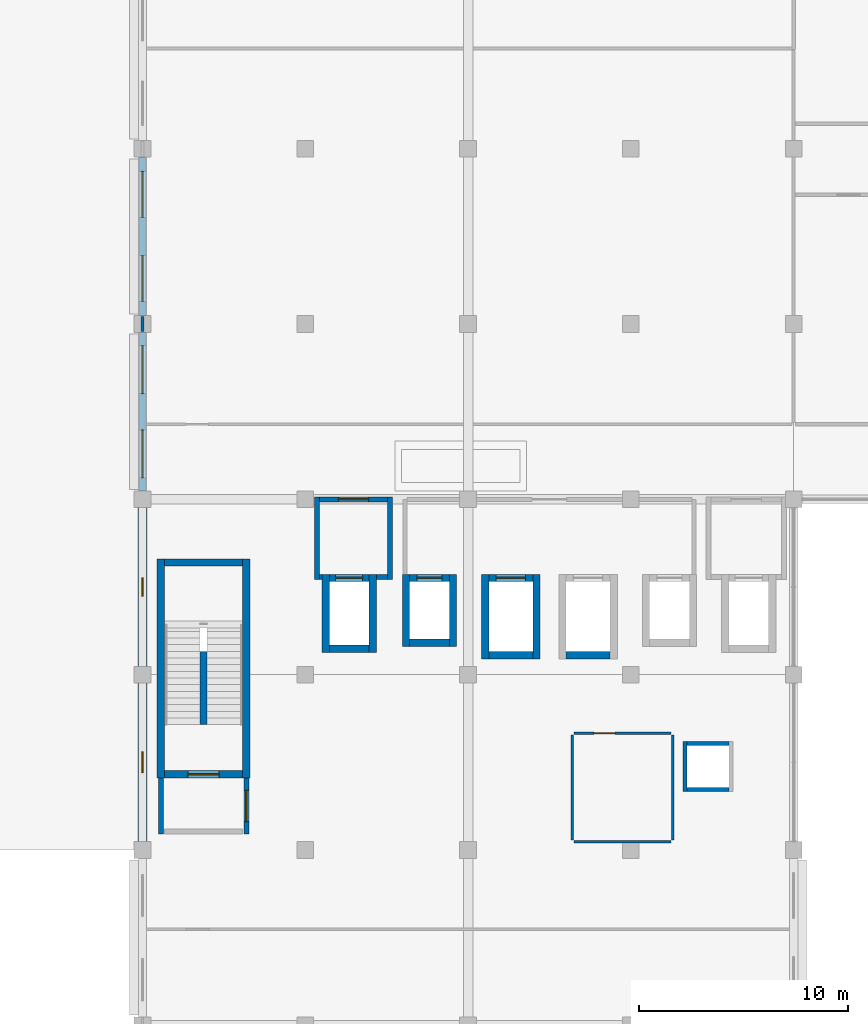
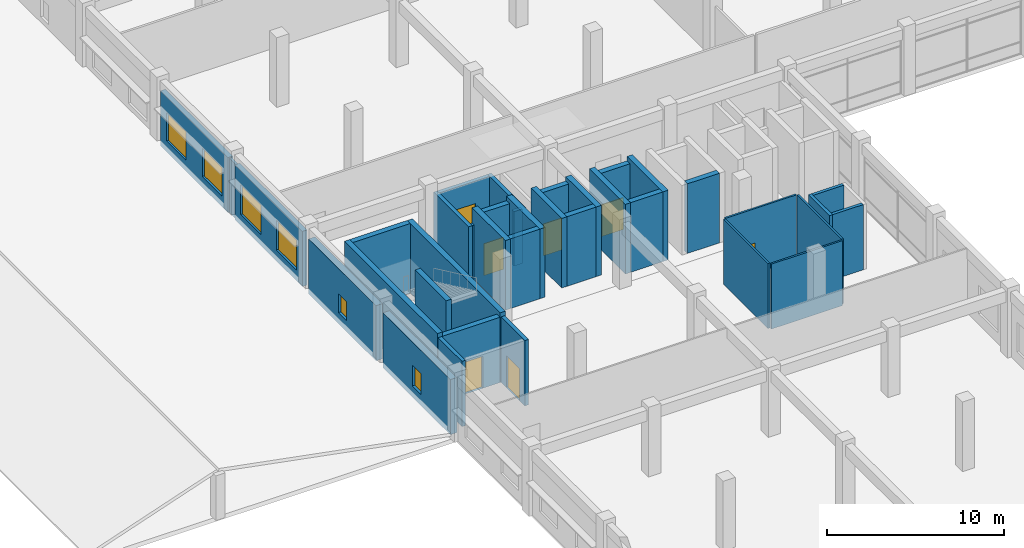
# One storey, part 40 of 62: 37 walls, 7 doors, 6 windows, 13 openings.
"""IFC4 building model written with IfcOpenShell, lengths in metres."""

from ifc_helpers import new_model, si_unit, direction, frame, frame_2d, origin, place, context, subcontext, project, spatial, rectangle, extrude, material, layer, layer_set, type_object, element, fill, save


model = new_model("IFC4")

# Units and contexts
model_context = context("Model", 3, precision=1e-05, world=origin(), true_north=direction((0.0, 1.0)))
body_context = subcontext(model_context, "Body", "Model", "MODEL_VIEW")
ifc_project = project(units=[si_unit("LENGTHUNIT", "METRE"), si_unit("AREAUNIT", "SQUARE_METRE"), si_unit("VOLUMEUNIT", "CUBIC_METRE"), si_unit("PLANEANGLEUNIT", "RADIAN"), si_unit("MASSUNIT", "GRAM", prefix="KILO"), si_unit("THERMODYNAMICTEMPERATUREUNIT", "KELVIN"), si_unit("POWERUNIT", "WATT")], contexts=[model_context])

# Site, building, storey
site_placement = place(None, origin())
site = spatial("IfcSite", under=ifc_project, at=site_placement, CompositionType="ELEMENT")
building_placement = place(site_placement, origin())
building = spatial("IfcBuilding", under=site, at=building_placement, Name="Srebrne Nadtorze General Hospital", CompositionType="ELEMENT")
storey_placement = place(building_placement, frame((0.0, 0.0, 9.60009765625)))
storey = spatial("IfcBuildingStorey", under=building, at=storey_placement, Name="L02", CompositionType="ELEMENT", Elevation=9.60009765625)

# Wall, opening, window
ifc_material_1 = material(Name="Concrete C40/50", Category="concrete")
ifc_layer_1 = layer(ifc_material_1, 0.419921875)
ifc_layer_set_1 = layer_set([ifc_layer_1], Name="Concrete C40/50")
wall_type_1 = type_object("IfcWallType", Name="Acoustic buffer wall 420", PredefinedType="SOLIDWALL", material=ifc_layer_set_1)
wall_1_placement = place(storey_placement, frame((23.39990234375, 34.0, 0.0), z_axis=(0.0, 0.0, 1.0), x_axis=(0.0, 1.0, 0.0)))
wall_1 = element("IfcWall", 1, at=wall_1_placement, inside=storey, type_object=wall_type_1, Name="Exterior wall WL-ENV-L02-0246", PredefinedType="SOLIDWALL", context=body_context, shape_type="SweptSolid", body=[
    extrude(rectangle(XDim=7.60009765625, YDim=0.419921875, at=frame_2d((3.800048828125, 0.0))), origin(), (0.0, 0.0, 1.0), 3.7998046875),
])
opening_1_placement = place(wall_1_placement, frame((3.300048828125, 0.0, 0.75)))
opening_1 = element("IfcOpeningElement", 2, at=opening_1_placement, cuts=wall_1, Name="Opening WN-L02-0310", PredefinedType="OPENING", context=body_context, shape_type="SweptSolid", body=[
    extrude(rectangle(XDim=1.0, YDim=1.449951171875, at=frame_2d((0.5, 0.72509765625))), frame((0.0, 0.221923828125, 0.0), z_axis=(0.0, -1.0, 0.0), x_axis=(1.0, 0.0, 0.0)), (0.0, 0.0, 1.0), 0.44384765625),
])
ifc_material_2 = material(Name="Triple Low-E Glazing", Category="glass")
window_type_1 = type_object("IfcWindowType", Name="Punched clinical window 1000x1450", PartitioningType="SINGLE_PANEL", PredefinedType="WINDOW", material=ifc_material_2)
window_1_placement = place(opening_1_placement, origin())
window_1 = element("IfcWindow", 3, at=window_1_placement, inside=storey, type_object=window_type_1, Name="Clinical window WN-L02-0310", OverallHeight=1.449951171875, OverallWidth=1.0, PartitioningType="SINGLE_PANEL", PredefinedType="WINDOW", context=body_context, shape_type="SweptSolid", body=[
    extrude(rectangle(XDim=1.0, YDim=1.449951171875, at=frame_2d((0.5, 0.72509765625))), frame((0.0, 0.030029296875, 0.0), z_axis=(0.0, -1.0, 0.0), x_axis=(1.0, 0.0, 0.0)), (0.0, 0.0, 1.0), 0.06005859375),
])
fill(opening_1, window_1)

wall_2_placement = place(storey_placement, frame((23.39990234375, 42.39990234375, 0.0), z_axis=(0.0, 0.0, 1.0), x_axis=(0.0, 1.0, 0.0)))
wall_2 = element("IfcWall", 4, at=wall_2_placement, inside=storey, type_object=wall_type_1, Name="Exterior wall WL-ENV-L02-0247", PredefinedType="SOLIDWALL", context=body_context, shape_type="SweptSolid", body=[
    extrude(rectangle(XDim=7.60009765625, YDim=0.419921875, at=frame_2d((3.800048828125, 0.0))), origin(), (0.0, 0.0, 1.0), 3.7998046875),
])
opening_2_placement = place(wall_2_placement, frame((3.35009765625, 0.0, 0.75)))
opening_2 = element("IfcOpeningElement", 5, at=opening_2_placement, cuts=wall_2, Name="Opening WN-L02-0311", PredefinedType="OPENING", context=body_context, shape_type="SweptSolid", body=[
    extrude(rectangle(XDim=0.89990234375, YDim=1.300048828125, at=frame_2d((0.449951171875, 0.64990234375))), frame((0.0, 0.221923828125, 0.0), z_axis=(0.0, -1.0, 0.0), x_axis=(1.0, 0.0, 0.0)), (0.0, 0.0, 1.0), 0.44384765625),
])
ifc_material_3 = material(Name="Triple Low-E Glazing", Category="glass")
window_type_2 = type_object("IfcWindowType", Name="Punched clinical window 900x1300", PartitioningType="SINGLE_PANEL", PredefinedType="WINDOW", material=ifc_material_3)
window_2_placement = place(opening_2_placement, origin())
window_2 = element("IfcWindow", 6, at=window_2_placement, inside=storey, type_object=window_type_2, Name="Clinical window WN-L02-0311", OverallHeight=1.300048828125, OverallWidth=0.89990234375, PartitioningType="SINGLE_PANEL", PredefinedType="WINDOW", context=body_context, shape_type="SweptSolid", body=[
    extrude(rectangle(XDim=0.89990234375, YDim=1.300048828125, at=frame_2d((0.449951171875, 0.64990234375))), frame((0.0, 0.030029296875, 0.0), z_axis=(0.0, -1.0, 0.0), x_axis=(1.0, 0.0, 0.0)), (0.0, 0.0, 1.0), 0.06005859375),
])
fill(opening_2, window_2)

# Walls
ifc_material_4 = material(Name="Gypsum Healthcare Partition")
ifc_layer_2 = layer(ifc_material_4, 0.139892578125)
ifc_layer_set_2 = layer_set([ifc_layer_2], Name="Gypsum Healthcare Partition")
wall_type_2 = type_object("IfcWallType", Name="Clinical partition 140", PredefinedType="PARTITIONING", material=ifc_layer_set_2)
wall_3_placement = place(storey_placement, frame((23.39990234375, 58.43994140625, 0.0), z_axis=(0.0, 0.0, 1.0), x_axis=(0.0, 1.0, 0.0)))
element("IfcWall", 7, at=wall_3_placement, inside=storey, type_object=wall_type_2, Name="Neuro-Intensive Care Unit wall WL-INT-L02-1511", PredefinedType="PARTITIONING", context=body_context, shape_type="SweptSolid", body=[
    extrude(rectangle(XDim=0.719970703125, YDim=0.139892578125, at=frame_2d((0.35986328125, 0.0))), origin(), (0.0, 0.0, 1.0), 3.75),
])
ifc_material_5 = material(Name="Gypsum Healthcare Partition")
ifc_layer_3 = layer(ifc_material_5, 0.199951171875)
ifc_layer_set_3 = layer_set([ifc_layer_3], Name="Gypsum Healthcare Partition")
wall_type_3 = type_object("IfcWallType", Name="Compartment wall 200", PredefinedType="STANDARD", material=ifc_layer_set_3)
wall_4_placement = place(storey_placement, frame((49.39990234375, 36.39990234375, 0.0), z_axis=(0.0, 0.0, 1.0), x_axis=(0.0, 1.0, 0.0)))
element("IfcWall", 8, at=wall_4_placement, inside=storey, type_object=wall_type_3, Name="MEP riser wall WL-INT-L02-1002", PredefinedType="STANDARD", context=body_context, shape_type="SweptSolid", body=[
    extrude(rectangle(XDim=2.400146484375, YDim=0.199951171875, at=frame_2d((1.2001953125, 0.0))), origin(), (0.0, 0.0, 1.0), 4.5),
])
for number, where, z_axis, x_axis, name in (
    (9, (49.5, 36.5, 0.0), (0.0, 0.0, 1.0), (1.0, 0.0, 0.0), "MEP riser wall WL-INT-L02-1004"),
    (10, (49.5, 38.699951171875, 0.0), (0.0, 0.0, 1.0), (1.0, 0.0, 0.0), "MEP riser wall WL-INT-L02-1005"),
):
    element("IfcWall", number, at=place(storey_placement, frame(where, z_axis=z_axis, x_axis=x_axis)), inside=storey, type_object=wall_type_3, Name=name, PredefinedType="STANDARD", context=body_context, shape_type="SweptSolid", body=[
        extrude(rectangle(XDim=2.0, YDim=0.199951171875, at=frame_2d((1.0, 0.0))), origin(), (0.0, 0.0, 1.0), 4.5),
    ])
ifc_material_6 = material(Name="Gypsum Healthcare Partition")
ifc_layer_4 = layer(ifc_material_6, 0.239990234375)
ifc_layer_set_4 = layer_set([ifc_layer_4], Name="Gypsum Healthcare Partition")
wall_type_4 = type_object("IfcWallType", Name="Corridor fire wall 240", PredefinedType="STANDARD", material=ifc_layer_set_4)
wall_5_placement = place(storey_placement, frame((24.27490234375, 34.35498046875, 0.0), z_axis=(0.0, 0.0, 1.0), x_axis=(0.0, 1.0, 0.0)))
element("IfcWall", 11, at=wall_5_placement, inside=storey, type_object=wall_type_4, Name="Fire lobby wall ST-01 WL-INT-L02-0197", PredefinedType="STANDARD", context=body_context, shape_type="SweptSolid", body=[
    extrude(rectangle(XDim=2.695068359375, YDim=0.239990234375, at=frame_2d((1.34765625, 0.0))), origin(), (0.0, 0.0, 1.0), 4.5),
])

# Wall, opening, door
wall_6_placement = place(storey_placement, frame((28.375, 34.35498046875, 0.0), z_axis=(0.0, 0.0, 1.0), x_axis=(0.0, 1.0, 0.0)))
wall_6 = element("IfcWall", 12, at=wall_6_placement, inside=storey, type_object=wall_type_4, Name="Fire lobby wall ST-01 WL-INT-L02-0198", PredefinedType="STANDARD", context=body_context, shape_type="SweptSolid", body=[
    extrude(rectangle(XDim=2.695068359375, YDim=0.239990234375, at=frame_2d((1.34765625, 0.0))), origin(), (0.0, 0.0, 1.0), 4.5),
])
opening_3_placement = place(wall_6_placement, frame((0.597412109375, 0.0, 0.0)))
opening_3 = element("IfcOpeningElement", 13, at=opening_3_placement, cuts=wall_6, Name="Opening D-L02-0050", PredefinedType="OPENING", context=body_context, shape_type="SweptSolid", body=[
    extrude(rectangle(XDim=1.5, YDim=2.199951171875, at=frame_2d((0.75, 1.10009765625))), frame((0.0, 0.1318359375, 0.0), z_axis=(0.0, -1.0, 0.0), x_axis=(1.0, 0.0, 0.0)), (0.0, 0.0, 1.0), 0.263916015625),
])
ifc_material_7 = material(Name="Anodised Aluminium", Category="aluminium")
door_type_1 = type_object("IfcDoorType", Name="Double leaf door 1500x2200", OperationType="DOUBLE_DOOR_SINGLE_SWING", PredefinedType="DOOR", material=ifc_material_7)
door_1_placement = place(opening_3_placement, origin())
door_1 = element("IfcDoor", 14, at=door_1_placement, inside=storey, type_object=door_type_1, Name="Fire lobby door ST-01 D-L02-0050", OperationType="DOUBLE_DOOR_SINGLE_SWING", OverallHeight=2.199951171875, OverallWidth=1.5, PredefinedType="DOOR", context=body_context, shape_type="SweptSolid", body=[
    extrude(rectangle(XDim=1.5, YDim=2.199951171875, at=frame_2d((0.75, 1.10009765625))), frame((0.0, 0.02490234375, 0.0), z_axis=(0.0, -1.0, 0.0), x_axis=(1.0, 0.0, 0.0)), (0.0, 0.0, 1.0), 0.050048828125),
])
fill(opening_3, door_1)

# Walls
for number, where, z_axis, x_axis, name in (
    (15, (31.760009765625, 46.570068359375, 0.0), (0.0, 0.0, 1.0), (0.0, 1.0, 0.0), "FF lift lobby wall WL-INT-L02-0981"),
    (16, (35.27001953125, 46.570068359375, 0.0), (0.0, 0.0, 1.0), (0.0, 1.0, 0.0), "FF lift lobby wall WL-INT-L02-0982"),
):
    element("IfcWall", number, at=place(storey_placement, frame(where, z_axis=z_axis, x_axis=x_axis)), inside=storey, type_object=wall_type_4, Name=name, PredefinedType="STANDARD", context=body_context, shape_type="SweptSolid", body=[
        extrude(rectangle(XDim=3.949951171875, YDim=0.239990234375, at=frame_2d((1.97509765625, 0.0))), origin(), (0.0, 0.0, 1.0), 3.75),
    ])
wall_7_placement = place(storey_placement, frame((31.8798828125, 46.68994140625, 0.0), z_axis=(0.0, 0.0, 1.0), x_axis=(1.0, 0.0, 0.0)))
element("IfcWall", 17, at=wall_7_placement, inside=storey, type_object=wall_type_4, Name="FF lift lobby return wall WL-INT-L02-0983", PredefinedType="STANDARD", context=body_context, shape_type="SweptSolid", body=[
    extrude(rectangle(XDim=0.1201171875, YDim=0.239990234375, at=frame_2d((0.06005859375, 0.0))), origin(), (0.0, 0.0, 1.0), 3.75),
])
wall_8_placement = place(storey_placement, frame((34.60009765625, 46.68994140625, 0.0), z_axis=(0.0, 0.0, 1.0), x_axis=(1.0, 0.0, 0.0)))
element("IfcWall", 18, at=wall_8_placement, inside=storey, type_object=wall_type_4, Name="FF lift lobby return wall WL-INT-L02-0984", PredefinedType="STANDARD", context=body_context, shape_type="SweptSolid", body=[
    extrude(rectangle(XDim=0.5498046875, YDim=0.239990234375, at=frame_2d((0.27490234375, 0.0))), origin(), (0.0, 0.0, 1.0), 3.75),
])

# Wall, opening, door
wall_9_placement = place(storey_placement, frame((31.8798828125, 50.39990234375, 0.0), z_axis=(0.0, 0.0, 1.0), x_axis=(1.0, 0.0, 0.0)))
wall_9 = element("IfcWall", 19, at=wall_9_placement, inside=storey, type_object=wall_type_4, Name="FF lift lobby front wall WL-INT-L02-0985", PredefinedType="STANDARD", context=body_context, shape_type="SweptSolid", body=[
    extrude(rectangle(XDim=3.27001953125, YDim=0.239990234375, at=frame_2d((1.635009765625, 0.0))), origin(), (0.0, 0.0, 1.0), 3.75),
])
opening_4_placement = place(wall_9_placement, frame((0.909912109375, 0.0, 0.0)))
opening_4 = element("IfcOpeningElement", 20, at=opening_4_placement, cuts=wall_9, Name="Opening D-L02-0132", PredefinedType="OPENING", context=body_context, shape_type="SweptSolid", body=[
    extrude(rectangle(XDim=1.449951171875, YDim=2.199951171875, at=frame_2d((0.72509765625, 1.10009765625))), frame((0.0, 0.1318359375, 0.0), z_axis=(0.0, -1.0, 0.0), x_axis=(1.0, 0.0, 0.0)), (0.0, 0.0, 1.0), 0.263916015625),
])
ifc_material_8 = material(Name="Anodised Aluminium", Category="aluminium")
door_type_2 = type_object("IfcDoorType", Name="Double leaf door 1450x2200", OperationType="DOUBLE_DOOR_SINGLE_SWING", PredefinedType="DOOR", material=ifc_material_8)
door_2_placement = place(opening_4_placement, origin())
door_2 = element("IfcDoor", 21, at=door_2_placement, inside=storey, type_object=door_type_2, Name="Firefighting lift lobby door D-L02-0132", OperationType="DOUBLE_DOOR_SINGLE_SWING", OverallHeight=2.199951171875, OverallWidth=1.449951171875, PredefinedType="DOOR", context=body_context, shape_type="SweptSolid", body=[
    extrude(rectangle(XDim=1.449951171875, YDim=2.199951171875, at=frame_2d((0.72509765625, 1.10009765625))), frame((0.0, 0.02490234375, 0.0), z_axis=(0.0, -1.0, 0.0), x_axis=(1.0, 0.0, 0.0)), (0.0, 0.0, 1.0), 0.050048828125),
])
fill(opening_4, door_2)

ifc_material_9 = material(Name="Gypsum Healthcare Partition")
ifc_layer_5 = layer(ifc_material_9, 0.1201171875)
ifc_layer_set_5 = layer_set([ifc_layer_5], Name="Gypsum Healthcare Partition")
wall_type_5 = type_object("IfcWallType", Name="En-suite partition 120", PredefinedType="PARTITIONING", material=ifc_layer_set_5)
wall_10_placement = place(storey_placement, frame((44.0849609375, 39.199951171875, 0.0), z_axis=(0.0, 0.0, 1.0), x_axis=(1.0, 0.0, 0.0)))
wall_10 = element("IfcWall", 22, at=wall_10_placement, inside=storey, type_object=wall_type_5, Name="Accessible WC wall WL-INT-L02-1576", PredefinedType="PARTITIONING", context=body_context, shape_type="SweptSolid", body=[
    extrude(rectangle(XDim=4.630126953125, YDim=0.1201171875, at=frame_2d((2.31494140625, 0.0))), origin(), (0.0, 0.0, 1.0), 4.47998046875),
])
opening_5_placement = place(wall_10_placement, frame((0.945556640625, 0.0, 0.0)))
opening_5 = element("IfcOpeningElement", 23, at=opening_5_placement, cuts=wall_10, Name="Opening D-L02-0258", PredefinedType="OPENING", context=body_context, shape_type="SweptSolid", body=[
    extrude(rectangle(XDim=1.0, YDim=2.10009765625, at=frame_2d((0.5, 1.050048828125))), frame((0.0, 0.072021484375, 0.0), z_axis=(0.0, -1.0, 0.0), x_axis=(1.0, 0.0, 0.0)), (0.0, 0.0, 1.0), 0.14404296875),
])
ifc_material_10 = material(Name="Anodised Aluminium", Category="aluminium")
door_type_3 = type_object("IfcDoorType", Name="Single leaf door 1000x2100", OperationType="NOTDEFINED", PredefinedType="DOOR", material=ifc_material_10)
door_3_placement = place(opening_5_placement, frame((1.0, 0.0, 0.0), z_axis=(0.0, 0.0, 1.0), x_axis=(-1.0, 0.0, 0.0)))
door_3 = element("IfcDoor", 24, at=door_3_placement, inside=storey, type_object=door_type_3, Name="Accessible WC door D-L02-0258", OperationType="SINGLE_SWING_LEFT", OverallHeight=2.10009765625, OverallWidth=1.0, PredefinedType="DOOR", context=body_context, shape_type="SweptSolid", body=[
    extrude(rectangle(XDim=1.0, YDim=2.10009765625, at=frame_2d((0.5, 1.050048828125))), frame((0.0, 0.02490234375, 0.0), z_axis=(0.0, -1.0, 0.0), x_axis=(1.0, 0.0, 0.0)), (0.0, 0.0, 1.0), 0.050048828125),
])
fill(opening_5, door_3)

# Walls
wall_11_placement = place(storey_placement, frame((44.0849609375, 34.0, 0.0), z_axis=(0.0, 0.0, 1.0), x_axis=(1.0, 0.0, 0.0)))
element("IfcWall", 25, at=wall_11_placement, inside=storey, type_object=wall_type_5, Name="Accessible WC wall WL-INT-L02-1577", PredefinedType="PARTITIONING", context=body_context, shape_type="SweptSolid", body=[
    extrude(rectangle(XDim=4.630126953125, YDim=0.1201171875, at=frame_2d((2.31494140625, 0.0))), origin(), (0.0, 0.0, 1.0), 4.47998046875),
])
for number, where, z_axis, x_axis, name in (
    (26, (44.0, 34.0849609375, 0.0), (0.0, 0.0, 1.0), (0.0, 1.0, 0.0), "Accessible WC wall WL-INT-L02-1578"),
    (27, (48.800048828125, 34.0849609375, 0.0), (0.0, 0.0, 1.0), (0.0, 1.0, 0.0), "Accessible WC wall WL-INT-L02-1579"),
):
    element("IfcWall", number, at=place(storey_placement, frame(where, z_axis=z_axis, x_axis=x_axis)), inside=storey, type_object=wall_type_5, Name=name, PredefinedType="PARTITIONING", context=body_context, shape_type="SweptSolid", body=[
        extrude(rectangle(XDim=5.030029296875, YDim=0.1201171875, at=frame_2d((2.51513671875, 0.0))), origin(), (0.0, 0.0, 1.0), 4.47998046875),
    ])
ifc_material_11 = material(Name="Concrete C40/50", Category="concrete")
ifc_layer_6 = layer(ifc_material_11, 0.35009765625)
ifc_layer_set_6 = layer_set([ifc_layer_6], Name="Concrete C40/50")
wall_type_6 = type_object("IfcWallType", Name="Shear core wall 350", PredefinedType="SHEAR", material=ifc_layer_set_6)
for number, where, z_axis, x_axis, name in (
    (28, (24.27490234375, 37.050048828125, 0.0), (0.0, 0.0, 1.0), (0.0, 1.0, 0.0), "Stair core wall ST-01 WL-INT-L02-0193"),
    (29, (28.375, 37.050048828125, 0.0), (0.0, 0.0, 1.0), (0.0, 1.0, 0.0), "Stair core wall ST-01 WL-INT-L02-0194"),
):
    element("IfcWall", number, at=place(storey_placement, frame(where, z_axis=z_axis, x_axis=x_axis)), inside=storey, type_object=wall_type_6, Name=name, PredefinedType="SHEAR", context=body_context, shape_type="SweptSolid", body=[
        extrude(rectangle(XDim=10.5, YDim=0.35009765625, at=frame_2d((5.25, 0.0))), origin(), (0.0, 0.0, 1.0), 4.7998046875),
    ])
wall_12_placement = place(storey_placement, frame((24.449951171875, 47.375, 0.0), z_axis=(0.0, 0.0, 1.0), x_axis=(1.0, 0.0, 0.0)))
element("IfcWall", 30, at=wall_12_placement, inside=storey, type_object=wall_type_6, Name="Stair core wall ST-01 WL-INT-L02-0195", PredefinedType="SHEAR", context=body_context, shape_type="SweptSolid", body=[
    extrude(rectangle(XDim=3.75, YDim=0.35009765625, at=frame_2d((1.875, 0.0))), origin(), (0.0, 0.0, 1.0), 4.7998046875),
])

# Wall, opening, door
wall_13_placement = place(storey_placement, frame((24.449951171875, 37.22509765625, 0.0), z_axis=(0.0, 0.0, 1.0), x_axis=(1.0, 0.0, 0.0)))
wall_13 = element("IfcWall", 31, at=wall_13_placement, inside=storey, type_object=wall_type_6, Name="Stairwell fire wall ST-01 WL-INT-L02-0196", PredefinedType="SHEAR", context=body_context, shape_type="SweptSolid", body=[
    extrude(rectangle(XDim=3.75, YDim=0.35009765625, at=frame_2d((1.875, 0.0))), origin(), (0.0, 0.0, 1.0), 4.5),
])
opening_6_placement = place(wall_13_placement, frame((1.125, 0.0, 0.0)))
opening_6 = element("IfcOpeningElement", 32, at=opening_6_placement, cuts=wall_13, Name="Opening D-L02-0049", PredefinedType="OPENING", context=body_context, shape_type="SweptSolid", body=[
    extrude(rectangle(XDim=1.5, YDim=2.199951171875, at=frame_2d((0.75, 1.10009765625))), frame((0.0, 0.18701171875, 0.0), z_axis=(0.0, -1.0, 0.0), x_axis=(1.0, 0.0, 0.0)), (0.0, 0.0, 1.0), 0.3740234375),
])
door_4_placement = place(opening_6_placement, origin())
door_4 = element("IfcDoor", 33, at=door_4_placement, inside=storey, type_object=door_type_1, Name="Protected stair door ST-01 D-L02-0049", OperationType="DOUBLE_DOOR_SINGLE_SWING", OverallHeight=2.199951171875, OverallWidth=1.5, PredefinedType="DOOR", context=body_context, shape_type="SweptSolid", body=[
    extrude(rectangle(XDim=1.5, YDim=2.199951171875, at=frame_2d((0.75, 1.10009765625))), frame((0.0, 0.02490234375, 0.0), z_axis=(0.0, -1.0, 0.0), x_axis=(1.0, 0.0, 0.0)), (0.0, 0.0, 1.0), 0.050048828125),
])
fill(opening_6, door_4)

# Walls
wall_14_placement = place(storey_placement, frame((26.324951171875, 39.60009765625, 0.0), z_axis=(0.0, 0.0, 1.0), x_axis=(0.0, 1.0, 0.0)))
element("IfcWall", 34, at=wall_14_placement, inside=storey, type_object=wall_type_6, Name="Stair spine wall ST-01 WL-INT-L02-0200", PredefinedType="SHEAR", context=body_context, shape_type="SweptSolid", body=[
    extrude(rectangle(XDim=3.52001953125, YDim=0.35009765625, at=frame_2d((1.760009765625, 0.0))), origin(), (0.0, 0.0, 1.0), 4.7998046875),
])
for number, where, z_axis, x_axis, name in (
    (35, (32.175048828125, 43.06005859375, 0.0), (0.0, 0.0, 1.0), (0.0, 1.0, 0.0), "Lift shaft wall FL-01 WL-INT-L02-0478"),
    (36, (34.425048828125, 43.06005859375, 0.0), (0.0, 0.0, 1.0), (0.0, 1.0, 0.0), "Lift shaft wall FL-01 WL-INT-L02-0479"),
):
    element("IfcWall", number, at=place(storey_placement, frame(where, z_axis=z_axis, x_axis=x_axis)), inside=storey, type_object=wall_type_6, Name=name, PredefinedType="SHEAR", context=body_context, shape_type="SweptSolid", body=[
        extrude(rectangle(XDim=3.75, YDim=0.35009765625, at=frame_2d((1.875, 0.0))), origin(), (0.0, 0.0, 1.0), 4.7998046875),
    ])
wall_15_placement = place(storey_placement, frame((32.35009765625, 43.235107421875, 0.0), z_axis=(0.0, 0.0, 1.0), x_axis=(1.0, 0.0, 0.0)))
element("IfcWall", 37, at=wall_15_placement, inside=storey, type_object=wall_type_6, Name="Lift shaft back wall FL-01 WL-INT-L02-0480", PredefinedType="SHEAR", context=body_context, shape_type="SweptSolid", body=[
    extrude(rectangle(XDim=1.89990234375, YDim=0.35009765625, at=frame_2d((0.949951171875, 0.0))), origin(), (0.0, 0.0, 1.0), 4.7998046875),
])

# Wall, opening, door
wall_16_placement = place(storey_placement, frame((32.35009765625, 46.635009765625, 0.0), z_axis=(0.0, 0.0, 1.0), x_axis=(1.0, 0.0, 0.0)))
wall_16 = element("IfcWall", 38, at=wall_16_placement, inside=storey, type_object=wall_type_6, Name="Lift shaft front wall FL-01 WL-INT-L02-0481", PredefinedType="SHEAR", context=body_context, shape_type="SweptSolid", body=[
    extrude(rectangle(XDim=1.89990234375, YDim=0.35009765625, at=frame_2d((0.949951171875, 0.0))), origin(), (0.0, 0.0, 1.0), 4.5),
])
opening_7_placement = place(wall_16_placement, frame((0.300048828125, 0.0, 0.0)))
opening_7 = element("IfcOpeningElement", 39, at=opening_7_placement, cuts=wall_16, Name="Opening LD-L02-004", PredefinedType="OPENING", context=body_context, shape_type="SweptSolid", body=[
    extrude(rectangle(XDim=1.300048828125, YDim=2.199951171875, at=frame_2d((0.64990234375, 1.10009765625))), frame((0.0, 0.18701171875, 0.0), z_axis=(0.0, -1.0, 0.0), x_axis=(1.0, 0.0, 0.0)), (0.0, 0.0, 1.0), 0.3740234375),
])
ifc_material_12 = material(Name="Anodised Aluminium", Category="aluminium")
door_type_4 = type_object("IfcDoorType", Name="Sliding lift door 1300x2200", OperationType="SLIDING_TO_LEFT", PredefinedType="DOOR", material=ifc_material_12)
door_5_placement = place(opening_7_placement, origin())
door_5 = element("IfcDoor", 40, at=door_5_placement, inside=storey, type_object=door_type_4, Name="Lift Landing Door LD-L02-004", OperationType="SLIDING_TO_LEFT", OverallHeight=2.199951171875, OverallWidth=1.300048828125, PredefinedType="DOOR", context=body_context, shape_type="SweptSolid", body=[
    extrude(rectangle(XDim=1.300048828125, YDim=2.199951171875, at=frame_2d((0.64990234375, 1.10009765625))), frame((0.0, 0.02490234375, 0.0), z_axis=(0.0, -1.0, 0.0), x_axis=(1.0, 0.0, 0.0)), (0.0, 0.0, 1.0), 0.050048828125),
])
fill(opening_7, door_5)

# Walls
for number, where, z_axis, x_axis, name in (
    (41, (36.02490234375, 43.360107421875, 0.0), (0.0, 0.0, 1.0), (0.0, 1.0, 0.0), "Lift shaft wall LP-01 WL-INT-L02-0518"),
    (42, (38.27490234375, 43.360107421875, 0.0), (0.0, 0.0, 1.0), (0.0, 1.0, 0.0), "Lift shaft wall LP-01 WL-INT-L02-0519"),
):
    element("IfcWall", number, at=place(storey_placement, frame(where, z_axis=z_axis, x_axis=x_axis)), inside=storey, type_object=wall_type_6, Name=name, PredefinedType="SHEAR", context=body_context, shape_type="SweptSolid", body=[
        extrude(rectangle(XDim=3.449951171875, YDim=0.35009765625, at=frame_2d((1.72509765625, 0.0))), origin(), (0.0, 0.0, 1.0), 4.7998046875),
    ])
wall_17_placement = place(storey_placement, frame((36.199951171875, 43.534912109375, 0.0), z_axis=(0.0, 0.0, 1.0), x_axis=(1.0, 0.0, 0.0)))
element("IfcWall", 43, at=wall_17_placement, inside=storey, type_object=wall_type_6, Name="Lift shaft back wall LP-01 WL-INT-L02-0520", PredefinedType="SHEAR", context=body_context, shape_type="SweptSolid", body=[
    extrude(rectangle(XDim=1.900146484375, YDim=0.35009765625, at=frame_2d((0.9501953125, 0.0))), origin(), (0.0, 0.0, 1.0), 4.7998046875),
])

# Wall, opening, door
wall_18_placement = place(storey_placement, frame((36.199951171875, 46.635009765625, 0.0), z_axis=(0.0, 0.0, 1.0), x_axis=(1.0, 0.0, 0.0)))
wall_18 = element("IfcWall", 44, at=wall_18_placement, inside=storey, type_object=wall_type_6, Name="Lift shaft front wall LP-01 WL-INT-L02-0521", PredefinedType="SHEAR", context=body_context, shape_type="SweptSolid", body=[
    extrude(rectangle(XDim=1.900146484375, YDim=0.35009765625, at=frame_2d((0.9501953125, 0.0))), origin(), (0.0, 0.0, 1.0), 4.5),
])
opening_8_placement = place(wall_18_placement, frame((0.35009765625, 0.0, 0.0)))
opening_8 = element("IfcOpeningElement", 45, at=opening_8_placement, cuts=wall_18, Name="Opening LD-L02-014", PredefinedType="OPENING", context=body_context, shape_type="SweptSolid", body=[
    extrude(rectangle(XDim=1.199951171875, YDim=2.199951171875, at=frame_2d((0.60009765625, 1.10009765625))), frame((0.0, 0.18701171875, 0.0), z_axis=(0.0, -1.0, 0.0), x_axis=(1.0, 0.0, 0.0)), (0.0, 0.0, 1.0), 0.3740234375),
])
ifc_material_13 = material(Name="Anodised Aluminium", Category="aluminium")
door_type_5 = type_object("IfcDoorType", Name="Sliding lift door 1200x2200", OperationType="SLIDING_TO_LEFT", PredefinedType="DOOR", material=ifc_material_13)
door_6_placement = place(opening_8_placement, origin())
door_6 = element("IfcDoor", 46, at=door_6_placement, inside=storey, type_object=door_type_5, Name="Lift Landing Door LD-L02-014", OperationType="SLIDING_TO_LEFT", OverallHeight=2.199951171875, OverallWidth=1.199951171875, PredefinedType="DOOR", context=body_context, shape_type="SweptSolid", body=[
    extrude(rectangle(XDim=1.199951171875, YDim=2.199951171875, at=frame_2d((0.60009765625, 1.10009765625))), frame((0.0, 0.02490234375, 0.0), z_axis=(0.0, -1.0, 0.0), x_axis=(1.0, 0.0, 0.0)), (0.0, 0.0, 1.0), 0.050048828125),
])
fill(opening_8, door_6)

# Walls
for number, where, z_axis, x_axis, name in (
    (47, (39.824951171875, 42.760009765625, 0.0), (0.0, 0.0, 1.0), (0.0, 1.0, 0.0), "Lift shaft wall LS-01 WL-INT-L02-0554"),
    (48, (42.27490234375, 42.760009765625, 0.0), (0.0, 0.0, 1.0), (0.0, 1.0, 0.0), "Lift shaft wall LS-01 WL-INT-L02-0555"),
):
    element("IfcWall", number, at=place(storey_placement, frame(where, z_axis=z_axis, x_axis=x_axis)), inside=storey, type_object=wall_type_6, Name=name, PredefinedType="SHEAR", context=body_context, shape_type="SweptSolid", body=[
        extrude(rectangle(XDim=4.050048828125, YDim=0.35009765625, at=frame_2d((2.02490234375, 0.0))), origin(), (0.0, 0.0, 1.0), 4.7998046875),
    ])
wall_19_placement = place(storey_placement, frame((40.0, 42.93505859375, 0.0), z_axis=(0.0, 0.0, 1.0), x_axis=(1.0, 0.0, 0.0)))
element("IfcWall", 49, at=wall_19_placement, inside=storey, type_object=wall_type_6, Name="Lift shaft back wall LS-01 WL-INT-L02-0556", PredefinedType="SHEAR", context=body_context, shape_type="SweptSolid", body=[
    extrude(rectangle(XDim=2.10009765625, YDim=0.35009765625, at=frame_2d((1.050048828125, 0.0))), origin(), (0.0, 0.0, 1.0), 4.7998046875),
])

# Wall, opening, door
wall_20_placement = place(storey_placement, frame((40.0, 46.635009765625, 0.0), z_axis=(0.0, 0.0, 1.0), x_axis=(1.0, 0.0, 0.0)))
wall_20 = element("IfcWall", 50, at=wall_20_placement, inside=storey, type_object=wall_type_6, Name="Lift shaft front wall LS-01 WL-INT-L02-0557", PredefinedType="SHEAR", context=body_context, shape_type="SweptSolid", body=[
    extrude(rectangle(XDim=2.10009765625, YDim=0.35009765625, at=frame_2d((1.050048828125, 0.0))), origin(), (0.0, 0.0, 1.0), 4.5),
])
opening_9_placement = place(wall_20_placement, frame((0.35009765625, 0.0, 0.0)))
opening_9 = element("IfcOpeningElement", 51, at=opening_9_placement, cuts=wall_20, Name="Opening LD-L02-023", PredefinedType="OPENING", context=body_context, shape_type="SweptSolid", body=[
    extrude(rectangle(XDim=1.39990234375, YDim=2.199951171875, at=frame_2d((0.699951171875, 1.10009765625))), frame((0.0, 0.18701171875, 0.0), z_axis=(0.0, -1.0, 0.0), x_axis=(1.0, 0.0, 0.0)), (0.0, 0.0, 1.0), 0.3740234375),
])
ifc_material_14 = material(Name="Anodised Aluminium", Category="aluminium")
door_type_6 = type_object("IfcDoorType", Name="Sliding lift door 1400x2200", OperationType="SLIDING_TO_LEFT", PredefinedType="DOOR", material=ifc_material_14)
door_7_placement = place(opening_9_placement, origin())
door_7 = element("IfcDoor", 52, at=door_7_placement, inside=storey, type_object=door_type_6, Name="Lift Landing Door LD-L02-023", OperationType="SLIDING_TO_LEFT", OverallHeight=2.199951171875, OverallWidth=1.39990234375, PredefinedType="DOOR", context=body_context, shape_type="SweptSolid", body=[
    extrude(rectangle(XDim=1.39990234375, YDim=2.199951171875, at=frame_2d((0.699951171875, 1.10009765625))), frame((0.0, 0.02490234375, 0.0), z_axis=(0.0, -1.0, 0.0), x_axis=(1.0, 0.0, 0.0)), (0.0, 0.0, 1.0), 0.050048828125),
])
fill(opening_9, door_7)

# Wall
wall_21_placement = place(storey_placement, frame((43.699951171875, 42.93505859375, 0.0), z_axis=(0.0, 0.0, 1.0), x_axis=(1.0, 0.0, 0.0)))
element("IfcWall", 53, at=wall_21_placement, inside=storey, type_object=wall_type_6, Name="Lift shaft back wall LS-02 WL-INT-L02-0596", PredefinedType="SHEAR", context=body_context, shape_type="SweptSolid", body=[
    extrude(rectangle(XDim=2.10009765625, YDim=0.35009765625, at=frame_2d((1.050048828125, 0.0))), origin(), (0.0, 0.0, 1.0), 4.7998046875),
])

# Wall, openings, windows
ifc_material_15 = material(Name="Concrete C35/45", Category="concrete")
ifc_layer_7 = layer(ifc_material_15, 0.320068359375)
ifc_layer_set_7 = layer_set([ifc_layer_7], Name="Concrete C35/45")
wall_type_7 = type_object("IfcWallType", Name="Spandrel wall 320", PredefinedType="STANDARD", material=ifc_layer_set_7)
wall_22_placement = place(storey_placement, frame((23.39990234375, 50.800048828125, 0.0), z_axis=(0.0, 0.0, 1.0), x_axis=(0.0, 1.0, 0.0)))
wall_22 = element("IfcWall", 54, at=wall_22_placement, inside=storey, type_object=wall_type_7, Name="Exterior wall WL-ENV-L02-0248", PredefinedType="STANDARD", context=body_context, shape_type="SweptSolid", body=[
    extrude(rectangle(XDim=7.599853515625, YDim=0.320068359375, at=frame_2d((3.7998046875, 0.0))), origin(), (0.0, 0.0, 1.0), 3.7998046875),
])
opening_10_placement = place(wall_22_placement, frame((0.634033203125, 0.0, 0.75)))
opening_10 = element("IfcOpeningElement", 55, at=opening_10_placement, cuts=wall_22, Name="Opening WN-L02-0312", PredefinedType="OPENING", context=body_context, shape_type="SweptSolid", body=[
    extrude(rectangle(XDim=2.300048828125, YDim=2.050048828125, at=frame_2d((1.14990234375, 1.02490234375))), frame((0.0, 0.171875, 0.0), z_axis=(0.0, -1.0, 0.0), x_axis=(1.0, 0.0, 0.0)), (0.0, 0.0, 1.0), 0.343994140625),
])
opening_11_placement = place(wall_22_placement, frame((4.666015625, 0.0, 0.75)))
opening_11 = element("IfcOpeningElement", 56, at=opening_11_placement, cuts=wall_22, Name="Opening WN-L02-0313", PredefinedType="OPENING", context=body_context, shape_type="SweptSolid", body=[
    extrude(rectangle(XDim=2.300048828125, YDim=2.050048828125, at=frame_2d((1.14990234375, 1.02490234375))), frame((0.0, 0.171875, 0.0), z_axis=(0.0, -1.0, 0.0), x_axis=(1.0, 0.0, 0.0)), (0.0, 0.0, 1.0), 0.343994140625),
])
ifc_material_16 = material(Name="Triple Low-E Glazing", Category="glass")
window_type_3 = type_object("IfcWindowType", Name="Punched clinical window 2300x2050", PartitioningType="DOUBLE_PANEL_VERTICAL", PredefinedType="WINDOW", material=ifc_material_16)
window_3_placement = place(opening_10_placement, origin())
window_3 = element("IfcWindow", 57, at=window_3_placement, inside=storey, type_object=window_type_3, Name="Clinical window WN-L02-0312", OverallHeight=2.050048828125, OverallWidth=2.300048828125, PartitioningType="DOUBLE_PANEL_VERTICAL", PredefinedType="WINDOW", context=body_context, shape_type="SweptSolid", body=[
    extrude(rectangle(XDim=2.300048828125, YDim=2.050048828125, at=frame_2d((1.14990234375, 1.02490234375))), frame((0.0, 0.030029296875, 0.0), z_axis=(0.0, -1.0, 0.0), x_axis=(1.0, 0.0, 0.0)), (0.0, 0.0, 1.0), 0.06005859375),
])
fill(opening_10, window_3)
window_4_placement = place(opening_11_placement, origin())
window_4 = element("IfcWindow", 58, at=window_4_placement, inside=storey, type_object=window_type_3, Name="Clinical window WN-L02-0313", OverallHeight=2.050048828125, OverallWidth=2.300048828125, PartitioningType="DOUBLE_PANEL_VERTICAL", PredefinedType="WINDOW", context=body_context, shape_type="SweptSolid", body=[
    extrude(rectangle(XDim=2.300048828125, YDim=2.050048828125, at=frame_2d((1.14990234375, 1.02490234375))), frame((0.0, 0.030029296875, 0.0), z_axis=(0.0, -1.0, 0.0), x_axis=(1.0, 0.0, 0.0)), (0.0, 0.0, 1.0), 0.06005859375),
])
fill(opening_11, window_4)

wall_23_placement = place(storey_placement, frame((23.39990234375, 59.199951171875, 0.0), z_axis=(0.0, 0.0, 1.0), x_axis=(0.0, 1.0, 0.0)))
wall_23 = element("IfcWall", 59, at=wall_23_placement, inside=storey, type_object=wall_type_7, Name="Exterior wall WL-ENV-L02-0249", PredefinedType="STANDARD", context=body_context, shape_type="SweptSolid", body=[
    extrude(rectangle(XDim=7.60009765625, YDim=0.320068359375, at=frame_2d((3.800048828125, 0.0))), origin(), (0.0, 0.0, 1.0), 3.7998046875),
])
opening_12_placement = place(wall_23_placement, frame((0.68408203125, 0.0, 0.75)))
opening_12 = element("IfcOpeningElement", 60, at=opening_12_placement, cuts=wall_23, Name="Opening WN-L02-0314", PredefinedType="OPENING", context=body_context, shape_type="SweptSolid", body=[
    extrude(rectangle(XDim=2.199951171875, YDim=1.949951171875, at=frame_2d((1.10009765625, 0.97509765625))), frame((0.0, 0.171875, 0.0), z_axis=(0.0, -1.0, 0.0), x_axis=(1.0, 0.0, 0.0)), (0.0, 0.0, 1.0), 0.343994140625),
])
opening_13_placement = place(wall_23_placement, frame((4.716064453125, 0.0, 0.75)))
opening_13 = element("IfcOpeningElement", 61, at=opening_13_placement, cuts=wall_23, Name="Opening WN-L02-0315", PredefinedType="OPENING", context=body_context, shape_type="SweptSolid", body=[
    extrude(rectangle(XDim=2.199951171875, YDim=1.949951171875, at=frame_2d((1.10009765625, 0.97509765625))), frame((0.0, 0.171875, 0.0), z_axis=(0.0, -1.0, 0.0), x_axis=(1.0, 0.0, 0.0)), (0.0, 0.0, 1.0), 0.343994140625),
])
ifc_material_17 = material(Name="Triple Low-E Glazing", Category="glass")
window_type_4 = type_object("IfcWindowType", Name="Punched clinical window 2200x1950", PartitioningType="DOUBLE_PANEL_VERTICAL", PredefinedType="WINDOW", material=ifc_material_17)
window_5_placement = place(opening_12_placement, origin())
window_5 = element("IfcWindow", 62, at=window_5_placement, inside=storey, type_object=window_type_4, Name="Clinical window WN-L02-0314", OverallHeight=1.949951171875, OverallWidth=2.199951171875, PartitioningType="DOUBLE_PANEL_VERTICAL", PredefinedType="WINDOW", context=body_context, shape_type="SweptSolid", body=[
    extrude(rectangle(XDim=2.199951171875, YDim=1.949951171875, at=frame_2d((1.10009765625, 0.97509765625))), frame((0.0, 0.030029296875, 0.0), z_axis=(0.0, -1.0, 0.0), x_axis=(1.0, 0.0, 0.0)), (0.0, 0.0, 1.0), 0.06005859375),
])
fill(opening_12, window_5)
window_6_placement = place(opening_13_placement, origin())
window_6 = element("IfcWindow", 63, at=window_6_placement, inside=storey, type_object=window_type_4, Name="Clinical window WN-L02-0315", OverallHeight=1.949951171875, OverallWidth=2.199951171875, PartitioningType="DOUBLE_PANEL_VERTICAL", PredefinedType="WINDOW", context=body_context, shape_type="SweptSolid", body=[
    extrude(rectangle(XDim=2.199951171875, YDim=1.949951171875, at=frame_2d((1.10009765625, 0.97509765625))), frame((0.0, 0.030029296875, 0.0), z_axis=(0.0, -1.0, 0.0), x_axis=(1.0, 0.0, 0.0)), (0.0, 0.0, 1.0), 0.06005859375),
])
fill(opening_13, window_6)

save(model, "model.ifc")
